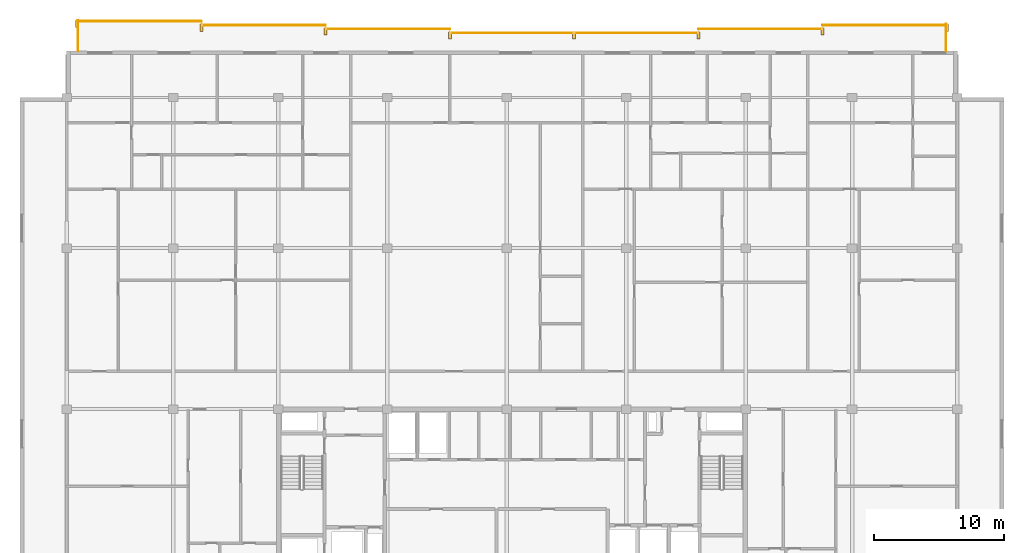
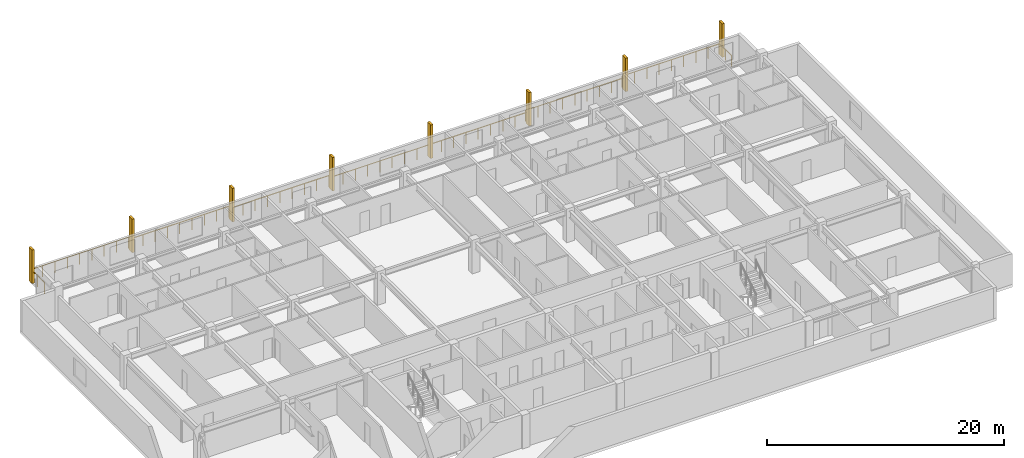
# One storey, part 10 of 10: 8 railings, 8 shading devices.
"""IFC4 building model written with IfcOpenShell, lengths in metres."""

from ifc_helpers import new_model, si_unit, direction, frame, origin, origin_2d, place, context, subcontext, project, spatial, rectangle, circle, extrude, material, type_object, element, save


model = new_model("IFC4")

# Units and contexts
model_context = context("Model", 3, precision=1e-05, world=origin(), true_north=direction((0.0, 1.0)))
body_context = subcontext(model_context, "Body", "Model", "MODEL_VIEW")
ifc_project = project(units=[si_unit("LENGTHUNIT", "METRE"), si_unit("AREAUNIT", "SQUARE_METRE"), si_unit("VOLUMEUNIT", "CUBIC_METRE"), si_unit("PLANEANGLEUNIT", "RADIAN"), si_unit("MASSUNIT", "GRAM", prefix="KILO")], contexts=[model_context])

# Site, building, storey
site_placement = place(None, origin())
site = spatial("IfcSite", under=ifc_project, at=site_placement, CompositionType="ELEMENT")
building_placement = place(site_placement, origin())
building = spatial("IfcBuilding", under=site, at=building_placement, Name="Korimba Cascade Residences", CompositionType="ELEMENT")
storey_placement = place(building_placement, frame((0.0, 0.0, 232.10009765625)))
storey = spatial("IfcBuildingStorey", under=building, at=storey_placement, Name="L67", CompositionType="ELEMENT", Elevation=232.10009765625)

# Railings
ifc_material_1 = material(Name="Laminated Glass and Bronze Balustrade", Category="glass")
railing_type = type_object("IfcRailingType", Name="RLG-LOG-1150", PredefinedType="BALUSTRADE", material=ifc_material_1)
railing_1_placement = place(storey_placement, frame((127.52001953125, 94.800048828125, 0.0)))
element("IfcRailing", 1, at=railing_1_placement, inside=storey, type_object=railing_type, Name="L67 Perimeter Guardrail RLG-L67-T1-LOG-01", PredefinedType="BALUSTRADE", context=body_context, shape_type="SweptSolid", body=[
    extrude(circle(Radius=0.02392578125, at=origin_2d()), frame((0.0, 0.0, 1.1259765625), z_axis=(0.0, 1.0, 0.0), x_axis=(-1.0, 0.0, 0.0)), (0.0, 0.0, 1.0), 2.050048828125),
    extrude(circle(Radius=0.02099609375, at=origin_2d()), origin(), (0.0, 0.0, 1.0), 1.101806640625),
    extrude(circle(Radius=0.02099609375, at=origin_2d()), frame((0.0, 1.02490234375, 0.0)), (0.0, 0.0, 1.0), 1.101806640625),
    extrude(circle(Radius=0.02099609375, at=origin_2d()), frame((0.0, 2.050048828125, 0.0)), (0.0, 0.0, 1.0), 1.101806640625),
])
for number, where, name in (
    (2, (127.60009765625, 96.77001953125, 0.0), "L67 Perimeter Guardrail RLG-L67-T1-LOG-02"),
    (3, (118.028564453125, 96.469970703125, 0.0), "L67 Perimeter Guardrail RLG-L67-T1-LOG-03"),
):
    element("IfcRailing", number, at=place(storey_placement, frame(where)), inside=storey, type_object=railing_type, Name=name, PredefinedType="BALUSTRADE", context=body_context, shape_type="SweptSolid", body=[
        extrude(circle(Radius=0.02392578125, at=origin_2d()), frame((0.0, 0.0, 1.1259765625), z_axis=(-1.0, 0.0, 0.0), x_axis=(0.0, -1.0, 0.0)), (0.0, 0.0, 1.0), 9.571533203125),
        extrude(circle(Radius=0.02099609375, at=origin_2d()), origin(), (0.0, 0.0, 1.0), 1.101806640625),
        extrude(circle(Radius=0.02099609375, at=origin_2d()), frame((-1.196533203125, 0.0, 0.0)), (0.0, 0.0, 1.0), 1.101806640625),
        extrude(circle(Radius=0.02099609375, at=origin_2d()), frame((-2.392822265625, 0.0, 0.0)), (0.0, 0.0, 1.0), 1.101806640625),
        extrude(circle(Radius=0.02099609375, at=origin_2d()), frame((-3.58935546875, 0.0, 0.0)), (0.0, 0.0, 1.0), 1.101806640625),
        extrude(circle(Radius=0.02099609375, at=origin_2d()), frame((-4.78564453125, 0.0, 0.0)), (0.0, 0.0, 1.0), 1.101806640625),
        extrude(circle(Radius=0.02099609375, at=origin_2d()), frame((-5.982177734375, 0.0, 0.0)), (0.0, 0.0, 1.0), 1.101806640625),
        extrude(circle(Radius=0.02099609375, at=origin_2d()), frame((-7.1787109375, 0.0, 0.0)), (0.0, 0.0, 1.0), 1.101806640625),
        extrude(circle(Radius=0.02099609375, at=origin_2d()), frame((-8.375, 0.0, 0.0)), (0.0, 0.0, 1.0), 1.101806640625),
        extrude(circle(Radius=0.02099609375, at=origin_2d()), frame((-9.571533203125, 0.0, 0.0)), (0.0, 0.0, 1.0), 1.101806640625),
    ])
railing_2_placement = place(storey_placement, frame((108.45703125, 96.169921875, 0.0)))
element("IfcRailing", 4, at=railing_2_placement, inside=storey, type_object=railing_type, Name="L67 Perimeter Guardrail RLG-L67-T1-LOG-04", PredefinedType="BALUSTRADE", context=body_context, shape_type="SweptSolid", body=[
    extrude(circle(Radius=0.02392578125, at=origin_2d()), frame((0.0, 0.0, 1.1259765625), z_axis=(-1.0, 0.0, 0.0), x_axis=(0.0, -1.0, 0.0)), (0.0, 0.0, 1.0), 19.142822265625),
    extrude(circle(Radius=0.02099609375, at=origin_2d()), origin(), (0.0, 0.0, 1.0), 1.101806640625),
    extrude(circle(Radius=0.02099609375, at=origin_2d()), frame((-1.196533203125, 0.0, 0.0)), (0.0, 0.0, 1.0), 1.101806640625),
    extrude(circle(Radius=0.02099609375, at=origin_2d()), frame((-2.392822265625, 0.0, 0.0)), (0.0, 0.0, 1.0), 1.101806640625),
    extrude(circle(Radius=0.02099609375, at=origin_2d()), frame((-3.58935546875, 0.0, 0.0)), (0.0, 0.0, 1.0), 1.101806640625),
    extrude(circle(Radius=0.02099609375, at=origin_2d()), frame((-4.78564453125, 0.0, 0.0)), (0.0, 0.0, 1.0), 1.101806640625),
    extrude(circle(Radius=0.02099609375, at=origin_2d()), frame((-5.982177734375, 0.0, 0.0)), (0.0, 0.0, 1.0), 1.101806640625),
    extrude(circle(Radius=0.02099609375, at=origin_2d()), frame((-7.178466796875, 0.0, 0.0)), (0.0, 0.0, 1.0), 1.101806640625),
    extrude(circle(Radius=0.02099609375, at=origin_2d()), frame((-8.375, 0.0, 0.0)), (0.0, 0.0, 1.0), 1.101806640625),
    extrude(circle(Radius=0.02099609375, at=origin_2d()), frame((-9.5712890625, 0.0, 0.0)), (0.0, 0.0, 1.0), 1.101806640625),
    extrude(circle(Radius=0.02099609375, at=origin_2d()), frame((-10.767822265625, 0.0, 0.0)), (0.0, 0.0, 1.0), 1.101806640625),
    extrude(circle(Radius=0.02099609375, at=origin_2d()), frame((-11.96435546875, 0.0, 0.0)), (0.0, 0.0, 1.0), 1.101806640625),
    extrude(circle(Radius=0.02099609375, at=origin_2d()), frame((-13.16064453125, 0.0, 0.0)), (0.0, 0.0, 1.0), 1.101806640625),
    extrude(circle(Radius=0.02099609375, at=origin_2d()), frame((-14.357177734375, 0.0, 0.0)), (0.0, 0.0, 1.0), 1.101806640625),
    extrude(circle(Radius=0.02099609375, at=origin_2d()), frame((-15.553466796875, 0.0, 0.0)), (0.0, 0.0, 1.0), 1.101806640625),
    extrude(circle(Radius=0.02099609375, at=origin_2d()), frame((-16.75, 0.0, 0.0)), (0.0, 0.0, 1.0), 1.101806640625),
    extrude(circle(Radius=0.02099609375, at=origin_2d()), frame((-17.9462890625, 0.0, 0.0)), (0.0, 0.0, 1.0), 1.101806640625),
    extrude(circle(Radius=0.02099609375, at=origin_2d()), frame((-19.142822265625, 0.0, 0.0)), (0.0, 0.0, 1.0), 1.101806640625),
])
railing_3_placement = place(storey_placement, frame((89.314208984375, 96.469970703125, 0.0)))
element("IfcRailing", 5, at=railing_3_placement, inside=storey, type_object=railing_type, Name="L67 Perimeter Guardrail RLG-L67-T1-LOG-05", PredefinedType="BALUSTRADE", context=body_context, shape_type="SweptSolid", body=[
    extrude(circle(Radius=0.02392578125, at=origin_2d()), frame((0.0, 0.0, 1.1259765625), z_axis=(-1.0, 0.0, 0.0), x_axis=(0.0, -1.0, 0.0)), (0.0, 0.0, 1.0), 9.5712890625),
    extrude(circle(Radius=0.02099609375, at=origin_2d()), origin(), (0.0, 0.0, 1.0), 1.101806640625),
    extrude(circle(Radius=0.02099609375, at=origin_2d()), frame((-1.1962890625, 0.0, 0.0)), (0.0, 0.0, 1.0), 1.101806640625),
    extrude(circle(Radius=0.02099609375, at=origin_2d()), frame((-2.392822265625, 0.0, 0.0)), (0.0, 0.0, 1.0), 1.101806640625),
    extrude(circle(Radius=0.02099609375, at=origin_2d()), frame((-3.58935546875, 0.0, 0.0)), (0.0, 0.0, 1.0), 1.101806640625),
    extrude(circle(Radius=0.02099609375, at=origin_2d()), frame((-4.78564453125, 0.0, 0.0)), (0.0, 0.0, 1.0), 1.101806640625),
    extrude(circle(Radius=0.02099609375, at=origin_2d()), frame((-5.98193359375, 0.0, 0.0)), (0.0, 0.0, 1.0), 1.101806640625),
    extrude(circle(Radius=0.02099609375, at=origin_2d()), frame((-7.178466796875, 0.0, 0.0)), (0.0, 0.0, 1.0), 1.101806640625),
    extrude(circle(Radius=0.02099609375, at=origin_2d()), frame((-8.375, 0.0, 0.0)), (0.0, 0.0, 1.0), 1.101806640625),
    extrude(circle(Radius=0.02099609375, at=origin_2d()), frame((-9.5712890625, 0.0, 0.0)), (0.0, 0.0, 1.0), 1.101806640625),
])
railing_4_placement = place(storey_placement, frame((79.742919921875, 96.77001953125, 0.0)))
element("IfcRailing", 6, at=railing_4_placement, inside=storey, type_object=railing_type, Name="L67 Perimeter Guardrail RLG-L67-T1-LOG-06", PredefinedType="BALUSTRADE", context=body_context, shape_type="SweptSolid", body=[
    extrude(circle(Radius=0.02392578125, at=origin_2d()), frame((0.0, 0.0, 1.1259765625), z_axis=(-1.0, 0.0, 0.0), x_axis=(0.0, -1.0, 0.0)), (0.0, 0.0, 1.0), 9.571533203125),
    extrude(circle(Radius=0.02099609375, at=origin_2d()), origin(), (0.0, 0.0, 1.0), 1.101806640625),
    extrude(circle(Radius=0.02099609375, at=origin_2d()), frame((-1.196533203125, 0.0, 0.0)), (0.0, 0.0, 1.0), 1.101806640625),
    extrude(circle(Radius=0.02099609375, at=origin_2d()), frame((-2.392822265625, 0.0, 0.0)), (0.0, 0.0, 1.0), 1.101806640625),
    extrude(circle(Radius=0.02099609375, at=origin_2d()), frame((-3.58935546875, 0.0, 0.0)), (0.0, 0.0, 1.0), 1.101806640625),
    extrude(circle(Radius=0.02099609375, at=origin_2d()), frame((-4.78564453125, 0.0, 0.0)), (0.0, 0.0, 1.0), 1.101806640625),
    extrude(circle(Radius=0.02099609375, at=origin_2d()), frame((-5.982177734375, 0.0, 0.0)), (0.0, 0.0, 1.0), 1.101806640625),
    extrude(circle(Radius=0.02099609375, at=origin_2d()), frame((-7.1787109375, 0.0, 0.0)), (0.0, 0.0, 1.0), 1.101806640625),
    extrude(circle(Radius=0.02099609375, at=origin_2d()), frame((-8.375, 0.0, 0.0)), (0.0, 0.0, 1.0), 1.101806640625),
    extrude(circle(Radius=0.02099609375, at=origin_2d()), frame((-9.571533203125, 0.0, 0.0)), (0.0, 0.0, 1.0), 1.101806640625),
])
railing_5_placement = place(storey_placement, frame((70.17138671875, 97.070068359375, 0.0)))
element("IfcRailing", 7, at=railing_5_placement, inside=storey, type_object=railing_type, Name="L67 Perimeter Guardrail RLG-L67-T1-LOG-07", PredefinedType="BALUSTRADE", context=body_context, shape_type="SweptSolid", body=[
    extrude(circle(Radius=0.02392578125, at=origin_2d()), frame((0.0, 0.0, 1.1259765625), z_axis=(-1.0, 0.0, 0.0), x_axis=(0.0, -1.0, 0.0)), (0.0, 0.0, 1.0), 9.5712890625),
    extrude(circle(Radius=0.02099609375, at=origin_2d()), origin(), (0.0, 0.0, 1.0), 1.101806640625),
    extrude(circle(Radius=0.02099609375, at=origin_2d()), frame((-1.1962890625, 0.0, 0.0)), (0.0, 0.0, 1.0), 1.101806640625),
    extrude(circle(Radius=0.02099609375, at=origin_2d()), frame((-2.392822265625, 0.0, 0.0)), (0.0, 0.0, 1.0), 1.101806640625),
    extrude(circle(Radius=0.02099609375, at=origin_2d()), frame((-3.58935546875, 0.0, 0.0)), (0.0, 0.0, 1.0), 1.101806640625),
    extrude(circle(Radius=0.02099609375, at=origin_2d()), frame((-4.78564453125, 0.0, 0.0)), (0.0, 0.0, 1.0), 1.101806640625),
    extrude(circle(Radius=0.02099609375, at=origin_2d()), frame((-5.98193359375, 0.0, 0.0)), (0.0, 0.0, 1.0), 1.101806640625),
    extrude(circle(Radius=0.02099609375, at=origin_2d()), frame((-7.178466796875, 0.0, 0.0)), (0.0, 0.0, 1.0), 1.101806640625),
    extrude(circle(Radius=0.02099609375, at=origin_2d()), frame((-8.375, 0.0, 0.0)), (0.0, 0.0, 1.0), 1.101806640625),
    extrude(circle(Radius=0.02099609375, at=origin_2d()), frame((-9.5712890625, 0.0, 0.0)), (0.0, 0.0, 1.0), 1.101806640625),
])
railing_6_placement = place(storey_placement, frame((60.679931640625, 97.14990234375, 0.0)))
element("IfcRailing", 8, at=railing_6_placement, inside=storey, type_object=railing_type, Name="L67 Perimeter Guardrail RLG-L67-T1-LOG-08", PredefinedType="BALUSTRADE", context=body_context, shape_type="SweptSolid", body=[
    extrude(circle(Radius=0.02392578125, at=origin_2d()), frame((0.0, 0.0, 1.1259765625), z_axis=(0.0, -1.0, 0.0), x_axis=(1.0, 0.0, 0.0)), (0.0, 0.0, 1.0), 2.349853515625),
    extrude(circle(Radius=0.02099609375, at=origin_2d()), origin(), (0.0, 0.0, 1.0), 1.101806640625),
    extrude(circle(Radius=0.02099609375, at=origin_2d()), frame((0.0, -1.1748046875, 0.0)), (0.0, 0.0, 1.0), 1.101806640625),
    extrude(circle(Radius=0.02099609375, at=origin_2d()), frame((0.0, -2.349853515625, 0.0)), (0.0, 0.0, 1.0), 1.101806640625),
])

# Shading devices
ifc_material_2 = material(Name="Honed Sandstone Precast Fin", Category="masonry")
shading_device_type = type_object("IfcShadingDeviceType", Name="SHD-FIN-550", PredefinedType="USERDEFINED", material=ifc_material_2)
for number, where, z_axis, x_axis, name in (
    (9, (60.60009765625, 96.875, 0.0), (0.0, 0.0, 1.0), (1.0, 0.0, 0.0), "L67 T1 Warm-Stone Loggia Fin 1"),
    (10, (70.17138671875, 96.574951171875, 0.0), (0.0, 0.0, 1.0), (1.0, 0.0, 0.0), "L67 T1 Warm-Stone Loggia Fin 2"),
    (11, (79.742919921875, 96.27490234375, 0.0), (0.0, 0.0, 1.0), (1.0, 0.0, 0.0), "L67 T1 Warm-Stone Loggia Fin 3"),
    (12, (89.314208984375, 95.97509765625, 0.0), (0.0, 0.0, 1.0), (1.0, 0.0, 0.0), "L67 T1 Warm-Stone Loggia Fin 4"),
    (13, (98.8857421875, 95.97509765625, 0.0), (0.0, 0.0, 1.0), (1.0, 0.0, 0.0), "L67 T1 Warm-Stone Loggia Fin 5"),
    (14, (108.45703125, 95.97509765625, 0.0), (0.0, 0.0, 1.0), (1.0, 0.0, 0.0), "L67 T1 Warm-Stone Loggia Fin 6"),
    (15, (118.028564453125, 96.27490234375, 0.0), (0.0, 0.0, 1.0), (1.0, 0.0, 0.0), "L67 T1 Warm-Stone Loggia Fin 7"),
    (16, (127.60009765625, 96.574951171875, 0.0), (0.0, 0.0, 1.0), (1.0, 0.0, 0.0), "L67 T1 Warm-Stone Loggia Fin 8"),
):
    element("IfcShadingDevice", number, at=place(storey_placement, frame(where, z_axis=z_axis, x_axis=x_axis)), inside=storey, type_object=shading_device_type, Name=name, ObjectType="FIN", PredefinedType="USERDEFINED", context=body_context, shape_type="SweptSolid", body=[
        extrude(rectangle(XDim=0.219970703125, YDim=0.550048828125, at=origin_2d()), origin(), (0.0, 0.0, 1.0), 3.449951171875),
    ])

save(model, "model.ifc")
